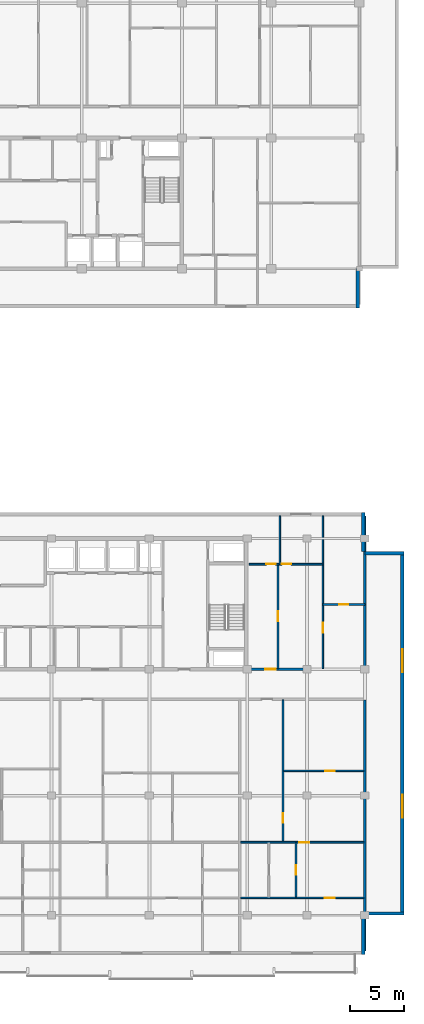
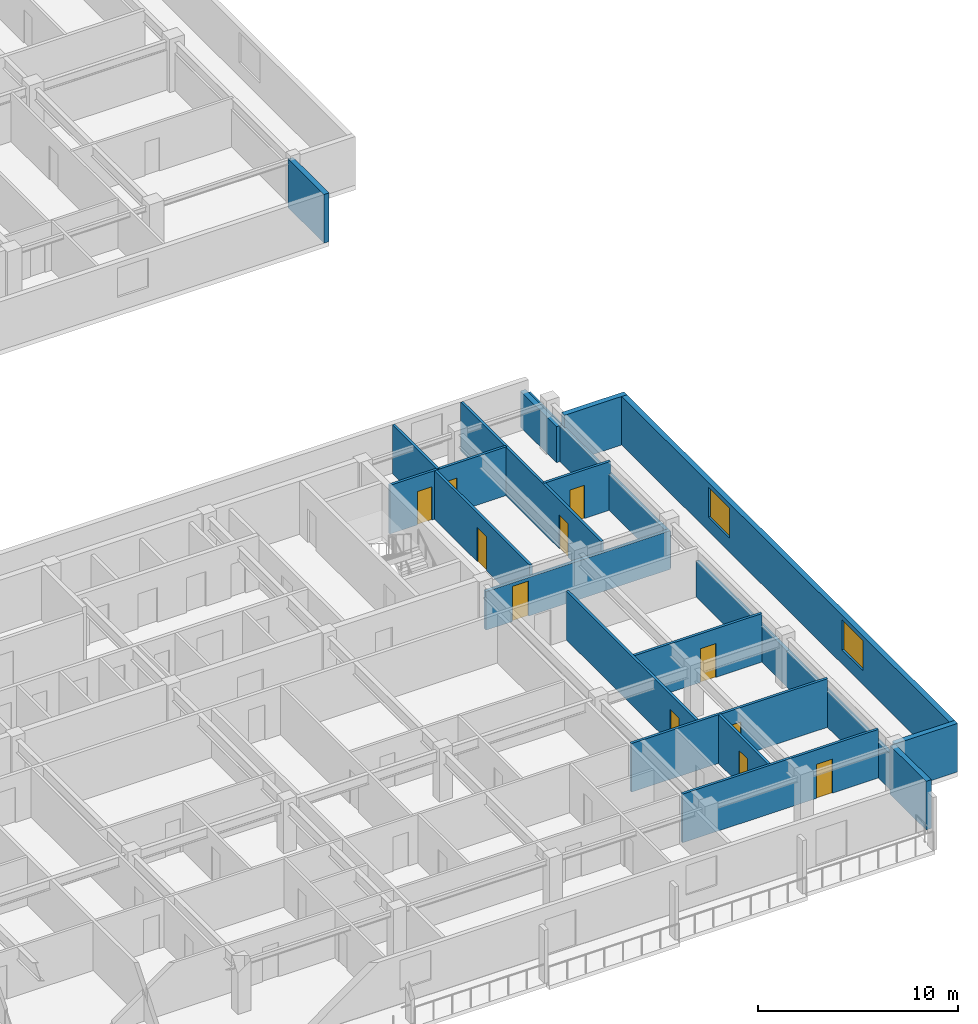
# One storey, part 9 of 21: 19 walls, 11 doors, 2 windows, 13 openings.
"""IFC4 building model written with IfcOpenShell, lengths in metres."""

import ifcopenshell
import ifcopenshell.guid

model = None  # the IFC model being written
_history = None  # IfcOwnerHistory: only IFC2X3 demands one
_inside = {}  # id of a spatial element -> (the spatial element, [elements in it])
_under = {}  # id of a project, library or spatial element -> (it, [spatial elements below it])
_declared = {}  # id of a project -> (the project, [libraries it declares])
_typed = {}  # id of a type object -> (the type object, [elements of that type])
_made_of = {}  # id of a material, layer set ... -> (it, [elements and type objects made of it])


def new_model(schema):
    """Start an empty IFC model of exactly this schema.

    Asked for "IFC4X3", IfcOpenShell would pick the latest addendum, in which some entities
    have other attributes; the version numbers below select the first issue.
    IFC2X3 requires an IfcOwnerHistory on every rooted entity: one is made here for all.
    """
    global model, _history
    if schema == "IFC4X3":
        model = ifcopenshell.file(schema_version=(4, 3, 0, 0))
    else:
        model = ifcopenshell.file(schema=schema)
    _inside.clear()
    _under.clear()
    _declared.clear()
    _typed.clear()
    _made_of.clear()
    _history = None
    if model.schema == "IFC2X3":
        org = make("IfcOrganization", Name="unknown")
        user = make(
            "IfcPersonAndOrganization",
            ThePerson=make("IfcPerson", FamilyName="unknown"),
            TheOrganization=org,
        )
        app = make(
            "IfcApplication",
            ApplicationDeveloper=org,
            Version="unknown",
            ApplicationFullName="unknown",
            ApplicationIdentifier="unknown",
        )
        _history = make(
            "IfcOwnerHistory",
            OwningUser=user,
            OwningApplication=app,
            ChangeAction="ADDED",
            CreationDate=0,
        )
    return model


def make(cls, **values):
    """One entity of the class cls with the attributes given. An attribute that is None is left unset."""
    return model.create_entity(
        cls, **{name: value for name, value in values.items() if value is not None}
    )


def rooted(cls, **values):
    """An entity with a GlobalId (a new one), such as an element, a storey or a relation."""
    return make(cls, GlobalId=ifcopenshell.guid.new(), OwnerHistory=_history, **values)


def si_unit(unit_type, name, prefix=None):
    """IfcSIUnit, for example si_unit("LENGTHUNIT", "METRE", prefix="MILLI")."""
    return make("IfcSIUnit", UnitType=unit_type, Prefix=prefix, Name=name)


def assignment(units):
    """IfcUnitAssignment: the units of a project."""
    return None if units is None else make("IfcUnitAssignment", Units=units)


def point(xyz):
    """IfcCartesianPoint."""
    return None if xyz is None else make("IfcCartesianPoint", Coordinates=xyz)


def direction(xyz):
    """IfcDirection."""
    return None if xyz is None else make("IfcDirection", DirectionRatios=xyz)


def frame(location, z_axis=None, x_axis=None):
    """IfcAxis2Placement3D, a coordinate frame: its origin and axes. An axis left out is left unset."""
    return make(
        "IfcAxis2Placement3D",
        Location=point(location),
        Axis=direction(z_axis),
        RefDirection=direction(x_axis),
    )


def frame_2d(location, x_axis=None):
    """IfcAxis2Placement2D, a coordinate frame in the plane: its origin and x axis."""
    return make(
        "IfcAxis2Placement2D", Location=point(location), RefDirection=direction(x_axis)
    )


def origin():
    """The frame at (0, 0, 0) with its axes left unset."""
    return frame((0.0, 0.0, 0.0))


def place(relative_to, where):
    """IfcLocalPlacement: puts the frame where relative to a parent placement (None: the world)."""
    return make(
        "IfcLocalPlacement", PlacementRelTo=relative_to, RelativePlacement=where
    )


def context(
    kind, dimensions, precision=None, world=None, true_north=None, identifier=None
):
    """IfcGeometricRepresentationContext, for example the 3D "Model" context."""
    return make(
        "IfcGeometricRepresentationContext",
        ContextIdentifier=identifier,
        ContextType=kind,
        CoordinateSpaceDimension=dimensions,
        Precision=precision,
        WorldCoordinateSystem=world,
        TrueNorth=true_north,
    )


def subcontext(parent, identifier, kind, view, scale=None):
    """IfcGeometricRepresentationSubContext, for example "Body" below "Model"."""
    return make(
        "IfcGeometricRepresentationSubContext",
        ContextIdentifier=identifier,
        ContextType=kind,
        ParentContext=parent,
        TargetScale=scale,
        TargetView=view,
    )


def project(units=None, contexts=None):
    """IfcProject with its units and contexts."""
    return rooted(
        "IfcProject",
        Name="project",
        RepresentationContexts=contexts,
        UnitsInContext=assignment(units),
    )


def spatial(cls, under=None, at=None, **own):
    """A site, building, storey or space (cls), placed at a placement, below another one or the project."""
    s = rooted(cls, ObjectPlacement=at, **own)
    if under is not None:
        _under.setdefault(under.id(), (under, []))[1].append(s)
    return s


def profile(cls, at=None, kind="AREA", **sizes):
    """A parametric profile (cls). Its sizes go by their IFC names, for example OverallWidth=200.0."""
    return make(cls, ProfileType=kind, Position=at, **sizes)


def rectangle(**sizes):
    """IfcRectangleProfileDef."""
    return profile("IfcRectangleProfileDef", **sizes)


def extrude(swept, where, along, depth):
    """IfcExtrudedAreaSolid: the profile swept, set in the frame where, extruded along a direction by depth."""
    return make(
        "IfcExtrudedAreaSolid",
        SweptArea=swept,
        Position=where,
        ExtrudedDirection=direction(along),
        Depth=depth,
    )


def shape(context_of_items, identifier, shape_type, items):
    """IfcShapeRepresentation: the items that make up one representation, for example the "Body"."""
    return make(
        "IfcShapeRepresentation",
        ContextOfItems=context_of_items,
        RepresentationIdentifier=identifier,
        RepresentationType=shape_type,
        Items=items,
    )


def material(Name=None, Category=None):
    """IfcMaterial."""
    return make("IfcMaterial", Name=Name, Category=Category)


def layer(
    of_material, thickness, ventilated=None, Name=None, Category=None, Priority=None
):
    """IfcMaterialLayer: one layer of a wall or slab, of a material (None: an air gap)."""
    return make(
        "IfcMaterialLayer",
        Material=of_material,
        LayerThickness=thickness,
        IsVentilated=ventilated,
        Name=Name,
        Category=Category,
        Priority=Priority,
    )


def layer_set(layers, Name=None):
    """IfcMaterialLayerSet."""
    return make("IfcMaterialLayerSet", MaterialLayers=layers, LayerSetName=Name)


def made_of(thing, what):
    """Note that an element or type object is made of a material, layer set ...; save() writes the relation."""
    if what is not None:
        _made_of.setdefault(what.id(), (what, []))[1].append(thing)
    return thing


def type_object(cls, material=None, **own):
    """A type object (cls), such as IfcWallType, which elements share."""
    return made_of(rooted(cls, **own), material)


def element(
    cls,
    number,
    at=None,
    inside=None,
    cuts=None,
    type_object=None,
    material=None,
    context=None,
    identifier="Body",
    shape_type=None,
    held_by="IfcProductDefinitionShape",
    body=None,
    shapes=None,
    **own,
):
    """One element of the class cls, such as IfcWall. Its Tag is "e" and its number.

    at: its placement. inside: the storey or other place that contains it. cuts: it is an
    opening in that element (IfcRelVoidsElement). A single representation is given by context,
    identifier, shape_type and body (its items); several are given by shapes. held_by: the class
    of the entity that holds the representations. save() writes the other relations.
    """
    e = rooted(cls, Tag="e%d" % number, ObjectPlacement=at, **own)
    if body is not None:
        shapes = [shape(context, identifier, shape_type, body)]
    if shapes is not None:
        e.Representation = make(held_by, Representations=shapes)
    if inside is not None:
        _inside.setdefault(inside.id(), (inside, []))[1].append(e)
    if cuts is not None:
        rooted(
            "IfcRelVoidsElement", RelatingBuildingElement=cuts, RelatedOpeningElement=e
        )
    if type_object is not None:
        _typed.setdefault(type_object.id(), (type_object, []))[1].append(e)
    return made_of(e, material)


def fill(opening, filler):
    """IfcRelFillsElement: the door or window that sits in an opening."""
    return rooted(
        "IfcRelFillsElement",
        RelatingOpeningElement=opening,
        RelatedBuildingElement=filler,
    )


def aggregate(whole, parts):
    """IfcRelAggregates: a whole, such as a stair, and the parts it consists of."""
    return rooted("IfcRelAggregates", RelatingObject=whole, RelatedObjects=parts)


def save(model, path):
    """Write the relations noted so far, then the file.

    IfcRelAggregates (storeys below a building ...), IfcRelContainedInSpatialStructure (elements
    in a storey), IfcRelDefinesByType, IfcRelAssociatesMaterial and IfcRelDeclares: one each for
    every whole, place, type object, material and project.
    """
    for whole, parts in _under.values():
        aggregate(whole, parts)
    for where, things in _inside.values():
        rooted(
            "IfcRelContainedInSpatialStructure",
            RelatedElements=things,
            RelatingStructure=where,
        )
    for kind, things in _typed.values():
        rooted("IfcRelDefinesByType", RelatedObjects=things, RelatingType=kind)
    for what, things in _made_of.values():
        rooted("IfcRelAssociatesMaterial", RelatedObjects=things, RelatingMaterial=what)
    for by, libraries in _declared.values():
        rooted("IfcRelDeclares", RelatingContext=by, RelatedDefinitions=libraries)
    model.write(path)


model = new_model("IFC4")

# Units and contexts
model_context = context("Model", 3, precision=1e-05, world=origin(), true_north=direction((0.0, 1.0)))
body_context = subcontext(model_context, "Body", "Model", "MODEL_VIEW")
ifc_project = project(units=[si_unit("LENGTHUNIT", "METRE"), si_unit("AREAUNIT", "SQUARE_METRE"), si_unit("VOLUMEUNIT", "CUBIC_METRE"), si_unit("PLANEANGLEUNIT", "RADIAN"), si_unit("MASSUNIT", "GRAM", prefix="KILO")], contexts=[model_context])

# Site, building, storey
site_placement = place(None, origin())
site = spatial("IfcSite", under=ifc_project, at=site_placement, CompositionType="ELEMENT")
building_placement = place(site_placement, origin())
building = spatial("IfcBuilding", under=site, at=building_placement, Name="Korimba Cascade Residences", CompositionType="ELEMENT")
storey_placement = place(building_placement, frame((0.0, 0.0, 188.10009765625)))
storey = spatial("IfcBuildingStorey", under=building, at=storey_placement, Name="L54", CompositionType="ELEMENT", Elevation=188.10009765625)

# Walls
ifc_material_1 = material(Name="Precast concrete C40/50", Category="concrete")
ifc_layer_1 = layer(ifc_material_1, 0.300048828125)
ifc_layer_set_1 = layer_set([ifc_layer_1], Name="Precast concrete C40/50")
wall_type_1 = type_object("IfcWallType", Name="EW-STONE-300", PredefinedType="STANDARD", material=ifc_layer_set_1)
wall_1_placement = place(storey_placement, frame((128.25, 51.60009765625, 0.0), z_axis=(0.0, 0.0, 1.0), x_axis=(0.0, 1.0, 0.0)))
element("IfcWall", 1, at=wall_1_placement, inside=storey, type_object=wall_type_1, Name="L54 T1 Perimeter Stone Wall E01", PredefinedType="STANDARD", context=body_context, shape_type="SweptSolid", body=[
    extrude(rectangle(XDim=3.599853515625, YDim=0.300048828125, at=frame_2d((1.7998046875, 0.0))), origin(), (0.0, 0.0, 1.0), 2.969970703125),
])
for number, where, z_axis, x_axis, name in (
    (2, (128.75, -7.800048828125, 0.0), (0.0, 0.0, 1.0), (0.0, 1.0, 0.0), "L54 T2 Perimeter Stone Wall E01"),
    (3, (128.89990234375, -4.050048828125, 0.0), (0.0, 0.0, 1.0), (1.0, 0.0, 0.0), "L54 T2 Perimeter Stone Wall E02"),
):
    element("IfcWall", number, at=place(storey_placement, frame(where, z_axis=z_axis, x_axis=x_axis)), inside=storey, type_object=wall_type_1, Name=name, PredefinedType="STANDARD", context=body_context, shape_type="SweptSolid", body=[
        extrude(rectangle(XDim=3.60009765625, YDim=0.300048828125, at=frame_2d((1.800048828125, 0.0))), origin(), (0.0, 0.0, 1.0), 2.969970703125),
    ])

# Wall, openings, windows
wall_2_placement = place(storey_placement, frame((132.35009765625, -4.199951171875, 0.0), z_axis=(0.0, 0.0, 1.0), x_axis=(0.0, 1.0, 0.0)))
wall_2 = element("IfcWall", 4, at=wall_2_placement, inside=storey, type_object=wall_type_1, Name="L54 T2 Perimeter Stone Wall E03", PredefinedType="STANDARD", context=body_context, shape_type="SweptSolid", body=[
    extrude(rectangle(XDim=33.39990234375, YDim=0.300048828125, at=frame_2d((16.699951171875, 0.0))), origin(), (0.0, 0.0, 1.0), 2.969970703125),
])
opening_1_placement = place(wall_2_placement, frame((8.969970703125, 0.0, 0.85009765625)))
opening_1 = element("IfcOpeningElement", 5, at=opening_1_placement, cuts=wall_2, Name="Opening W-03", PredefinedType="OPENING", context=body_context, shape_type="SweptSolid", body=[
    extrude(rectangle(XDim=2.10009765625, YDim=1.85009765625, at=frame_2d((1.050048828125, 0.925048828125))), frame((0.0, 0.16015625, 0.0), z_axis=(0.0, -1.0, 0.0), x_axis=(1.0, 0.0, 0.0)), (0.0, 0.0, 1.0), 0.320068359375),
])
opening_2_placement = place(wall_2_placement, frame((22.330078125, 0.0, 0.85009765625)))
opening_2 = element("IfcOpeningElement", 6, at=opening_2_placement, cuts=wall_2, Name="Opening W-03", PredefinedType="OPENING", context=body_context, shape_type="SweptSolid", body=[
    extrude(rectangle(XDim=2.10009765625, YDim=1.85009765625, at=frame_2d((1.050048828125, 0.925048828125))), frame((0.0, 0.16015625, 0.0), z_axis=(0.0, -1.0, 0.0), x_axis=(1.0, 0.0, 0.0)), (0.0, 0.0, 1.0), 0.320068359375),
])
ifc_material_2 = material(Name="Double-Glazed Aluminium Window", Category="aluminium")
window_type = type_object("IfcWindowType", Name="WIN-CRN-2100", PartitioningType="DOUBLE_PANEL_HORIZONTAL", PredefinedType="WINDOW", material=ifc_material_2)
window_1_placement = place(opening_1_placement, origin())
window_1 = element("IfcWindow", 7, at=window_1_placement, inside=storey, type_object=window_type, Name="L54 T2 End View Window 3.1", OverallHeight=1.85009765625, OverallWidth=2.10009765625, PartitioningType="DOUBLE_PANEL_HORIZONTAL", PredefinedType="WINDOW", context=body_context, shape_type="SweptSolid", body=[
    extrude(rectangle(XDim=2.10009765625, YDim=1.85009765625, at=frame_2d((1.050048828125, 0.925048828125))), frame((0.0, 0.030029296875, 0.0), z_axis=(0.0, -1.0, 0.0), x_axis=(1.0, 0.0, 0.0)), (0.0, 0.0, 1.0), 0.06005859375),
])
fill(opening_1, window_1)
window_2_placement = place(opening_2_placement, origin())
window_2 = element("IfcWindow", 8, at=window_2_placement, inside=storey, type_object=window_type, Name="L54 T2 End View Window 3.2", OverallHeight=1.85009765625, OverallWidth=2.10009765625, PartitioningType="DOUBLE_PANEL_HORIZONTAL", PredefinedType="WINDOW", context=body_context, shape_type="SweptSolid", body=[
    extrude(rectangle(XDim=2.10009765625, YDim=1.85009765625, at=frame_2d((1.050048828125, 0.925048828125))), frame((0.0, 0.030029296875, 0.0), z_axis=(0.0, -1.0, 0.0), x_axis=(1.0, 0.0, 0.0)), (0.0, 0.0, 1.0), 0.06005859375),
])
fill(opening_2, window_2)

# Walls
wall_3_placement = place(storey_placement, frame((132.5, 29.050048828125, 0.0), z_axis=(0.0, 0.0, 1.0), x_axis=(-1.0, 0.0, 0.0)))
element("IfcWall", 9, at=wall_3_placement, inside=storey, type_object=wall_type_1, Name="L54 T2 Perimeter Stone Wall E04", PredefinedType="STANDARD", context=body_context, shape_type="SweptSolid", body=[
    extrude(rectangle(XDim=3.60009765625, YDim=0.300048828125, at=frame_2d((1.800048828125, 0.0))), origin(), (0.0, 0.0, 1.0), 2.969970703125),
])
wall_4_placement = place(storey_placement, frame((128.75, 29.199951171875, 0.0), z_axis=(0.0, 0.0, 1.0), x_axis=(0.0, 1.0, 0.0)))
element("IfcWall", 10, at=wall_4_placement, inside=storey, type_object=wall_type_1, Name="L54 T2 Perimeter Stone Wall E05", PredefinedType="STANDARD", context=body_context, shape_type="SweptSolid", body=[
    extrude(rectangle(XDim=3.60009765625, YDim=0.300048828125, at=frame_2d((1.800048828125, 0.0))), origin(), (0.0, 0.0, 1.0), 2.2001953125),
])
ifc_layer_2 = layer(ifc_material_1, 0.199951171875)
ifc_layer_set_2 = layer_set([ifc_layer_2], Name="Precast concrete C40/50")
wall_type_2 = type_object("IfcWallType", Name="WAL-IT-200", PredefinedType="PARTITIONING", material=ifc_layer_set_2)
wall_5_placement = place(storey_placement, frame((128.89990234375, 18.39990234375, 0.0), z_axis=(0.0, 0.0, 1.0), x_axis=(0.0, 1.0, 0.0)))
element("IfcWall", 11, at=wall_5_placement, inside=storey, type_object=wall_type_2, Name="L54 Partition Wall WAL-L54-T2-FE-WR", PredefinedType="PARTITIONING", context=body_context, shape_type="SweptSolid", body=[
    extrude(rectangle(XDim=14.10009765625, YDim=0.199951171875, at=frame_2d((7.050048828125, 0.0))), origin(), (0.0, 0.0, 1.0), 2.2001953125),
])

# Wall, opening, door
wall_6_placement = place(storey_placement, frame((118.25, 18.39990234375, 0.0), z_axis=(0.0, 0.0, 1.0), x_axis=(1.0, 0.0, 0.0)))
wall_6 = element("IfcWall", 12, at=wall_6_placement, inside=storey, type_object=wall_type_2, Name="L54 Partition Wall WAL-L54-T2-FE-S", PredefinedType="PARTITIONING", context=body_context, shape_type="SweptSolid", body=[
    extrude(rectangle(XDim=10.64990234375, YDim=0.199951171875, at=frame_2d((5.324951171875, 0.0))), origin(), (0.0, 0.0, 1.0), 2.357666015625),
])
opening_3_placement = place(wall_6_placement, frame((1.510009765625, 0.0, 0.0)))
opening_3 = element("IfcOpeningElement", 13, at=opening_3_placement, cuts=wall_6, Name="Opening D-UN1", PredefinedType="OPENING", context=body_context, shape_type="SweptSolid", body=[
    extrude(rectangle(XDim=0.949951171875, YDim=2.14990234375, at=frame_2d((0.47509765625, 1.074951171875))), frame((0.0, 0.10986328125, 0.0), z_axis=(0.0, -1.0, 0.0), x_axis=(1.0, 0.0, 0.0)), (0.0, 0.0, 1.0), 0.219970703125),
])
ifc_material_3 = material(Name="Fire-Rated Hardwood Apartment Entrance Door", Category="wood")
door_type_1 = type_object("IfcDoorType", Name="DR-FD60-950", OperationType="NOTDEFINED", PredefinedType="DOOR", material=ifc_material_3)
door_1_placement = place(opening_3_placement, origin())
door_1 = element("IfcDoor", 14, at=door_1_placement, inside=storey, type_object=door_type_1, Name="L54-T2-FE Entrance Door", OperationType="SINGLE_SWING_LEFT", OverallHeight=2.14990234375, OverallWidth=0.949951171875, PredefinedType="DOOR", context=body_context, shape_type="SweptSolid", body=[
    extrude(rectangle(XDim=0.949951171875, YDim=2.14990234375, at=frame_2d((0.47509765625, 1.074951171875))), frame((0.0, 0.02490234375, 0.0), z_axis=(0.0, -1.0, 0.0), x_axis=(1.0, 0.0, 0.0)), (0.0, 0.0, 1.0), 0.050048828125),
])
fill(opening_3, door_1)

# Wall
wall_7_placement = place(storey_placement, frame((128.89990234375, -7.5, 0.0), z_axis=(0.0, 0.0, 1.0), x_axis=(0.0, 1.0, 0.0)))
element("IfcWall", 15, at=wall_7_placement, inside=storey, type_object=wall_type_2, Name="L54 Partition Wall WAL-L54-T2-BNDWR", PredefinedType="PARTITIONING", context=body_context, shape_type="SweptSolid", body=[
    extrude(rectangle(XDim=23.070068359375, YDim=0.199951171875, at=frame_2d((11.53515625, 0.0))), origin(), (0.0, 0.0, 1.0), 2.2001953125),
])

# Wall, opening, door
ifc_material_4 = material(Name="Insulated Acoustic Stud Partition", Category="gypsum")
ifc_layer_3 = layer(ifc_material_4, 0.14990234375)
ifc_layer_set_3 = layer_set([ifc_layer_3], Name="Insulated Acoustic Stud Partition")
wall_type_3 = type_object("IfcWallType", Name="WAL-PART-150", PredefinedType="PARTITIONING", material=ifc_layer_set_3)
wall_8_placement = place(storey_placement, frame((125.050048828125, 24.35009765625, 0.0), z_axis=(0.0, 0.0, 1.0), x_axis=(1.0, 0.0, 0.0)))
wall_8 = element("IfcWall", 16, at=wall_8_placement, inside=storey, type_object=wall_type_3, Name="L54 Partition Wall WAL-L54-T2-FE-STH", PredefinedType="PARTITIONING", context=body_context, shape_type="SweptSolid", body=[
    extrude(rectangle(XDim=3.849853515625, YDim=0.14990234375, at=frame_2d((1.9248046875, 0.0))), origin(), (0.0, 0.0, 1.0), 2.969970703125),
])
opening_4_placement = place(wall_8_placement, frame((1.5048828125, 0.0, 0.0)))
opening_4 = element("IfcOpeningElement", 17, at=opening_4_placement, cuts=wall_8, Name="Opening D-BT1", PredefinedType="OPENING", context=body_context, shape_type="SweptSolid", body=[
    extrude(rectangle(XDim=0.840087890625, YDim=2.0400390625, at=frame_2d((0.419921875, 1.02001953125))), frame((0.0, 0.0849609375, 0.0), z_axis=(0.0, -1.0, 0.0), x_axis=(1.0, 0.0, 0.0)), (0.0, 0.0, 1.0), 0.169921875),
])
ifc_material_5 = material(Name="Moisture-Resistant Bathroom Timber Door", Category="wood")
door_type_2 = type_object("IfcDoorType", Name="DR-INT-850", OperationType="NOTDEFINED", PredefinedType="DOOR", material=ifc_material_5)
door_2_placement = place(opening_4_placement, origin())
door_2 = element("IfcDoor", 18, at=door_2_placement, inside=storey, type_object=door_type_2, Name="L54-T2-FE Dressing Store Door", OperationType="SINGLE_SWING_RIGHT", OverallHeight=2.0400390625, OverallWidth=0.840087890625, PredefinedType="DOOR", context=body_context, shape_type="SweptSolid", body=[
    extrude(rectangle(XDim=0.840087890625, YDim=2.0400390625, at=frame_2d((0.419921875, 1.02001953125))), frame((0.0, 0.02490234375, 0.0), z_axis=(0.0, -1.0, 0.0), x_axis=(1.0, 0.0, 0.0)), (0.0, 0.0, 1.0), 0.050048828125),
])
fill(opening_4, door_2)

wall_9_placement = place(storey_placement, frame((125.050048828125, 18.449951171875, 0.0), z_axis=(0.0, 0.0, 1.0), x_axis=(0.0, 1.0, 0.0)))
wall_9 = element("IfcWall", 19, at=wall_9_placement, inside=storey, type_object=wall_type_3, Name="L54 Partition Wall WAL-L54-T2-FE-STV", PredefinedType="PARTITIONING", context=body_context, shape_type="SweptSolid", body=[
    extrude(rectangle(XDim=14.050048828125, YDim=0.14990234375, at=frame_2d((7.02490234375, 0.0))), origin(), (0.0, 0.0, 1.0), 2.969970703125),
])
opening_5_placement = place(wall_9_placement, frame((3.320068359375, 0.0, 0.0)))
opening_5 = element("IfcOpeningElement", 20, at=opening_5_placement, cuts=wall_9, Name="Opening D-IN2", PredefinedType="OPENING", context=body_context, shape_type="SweptSolid", body=[
    extrude(rectangle(XDim=0.8798828125, YDim=2.06005859375, at=frame_2d((0.43994140625, 1.030029296875))), frame((0.0, 0.0849609375, 0.0), z_axis=(0.0, -1.0, 0.0), x_axis=(1.0, 0.0, 0.0)), (0.0, 0.0, 1.0), 0.169921875),
])
ifc_material_6 = material(Name="Acoustic Timber Bedroom Door", Category="wood")
door_type_3 = type_object("IfcDoorType", Name="DR-INT-880", OperationType="NOTDEFINED", PredefinedType="DOOR", material=ifc_material_6)
door_3_placement = place(opening_5_placement, origin())
door_3 = element("IfcDoor", 21, at=door_3_placement, inside=storey, type_object=door_type_3, Name="L54-T2-FE Study Door", OperationType="SINGLE_SWING_LEFT", OverallHeight=2.06005859375, OverallWidth=0.8798828125, PredefinedType="DOOR", context=body_context, shape_type="SweptSolid", body=[
    extrude(rectangle(XDim=0.8798828125, YDim=2.06005859375, at=frame_2d((0.43994140625, 1.030029296875))), frame((0.0, 0.02490234375, 0.0), z_axis=(0.0, -1.0, 0.0), x_axis=(1.0, 0.0, 0.0)), (0.0, 0.0, 1.0), 0.050048828125),
])
fill(opening_5, door_3)

wall_10_placement = place(storey_placement, frame((120.929931640625, 18.449951171875, 0.0), z_axis=(0.0, 0.0, 1.0), x_axis=(0.0, 1.0, 0.0)))
wall_10 = element("IfcWall", 22, at=wall_10_placement, inside=storey, type_object=wall_type_3, Name="L54 Partition Wall WAL-L54-T2-FE-VS", PredefinedType="PARTITIONING", context=body_context, shape_type="SweptSolid", body=[
    extrude(rectangle(XDim=9.60009765625, YDim=0.14990234375, at=frame_2d((4.800048828125, 0.0))), origin(), (0.0, 0.0, 1.0), 2.969970703125),
])
opening_6_placement = place(wall_10_placement, frame((4.340087890625, 0.0, 0.0)))
opening_6 = element("IfcOpeningElement", 23, at=opening_6_placement, cuts=wall_10, Name="Opening D-IN1", PredefinedType="OPENING", context=body_context, shape_type="SweptSolid", body=[
    extrude(rectangle(XDim=0.919921875, YDim=2.080078125, at=frame_2d((0.4599609375, 1.0400390625))), frame((0.0, 0.0849609375, 0.0), z_axis=(0.0, -1.0, 0.0), x_axis=(1.0, 0.0, 0.0)), (0.0, 0.0, 1.0), 0.169921875),
])
ifc_material_7 = material(Name="Acoustic Timber Living Door", Category="wood")
door_type_4 = type_object("IfcDoorType", Name="DR-INT-920", OperationType="NOTDEFINED", PredefinedType="DOOR", material=ifc_material_7)
door_4_placement = place(opening_6_placement, origin())
door_4 = element("IfcDoor", 24, at=door_4_placement, inside=storey, type_object=door_type_4, Name="L54-T2-FE Living Door", OperationType="SINGLE_SWING_RIGHT", OverallHeight=2.080078125, OverallWidth=0.919921875, PredefinedType="DOOR", context=body_context, shape_type="SweptSolid", body=[
    extrude(rectangle(XDim=0.919921875, YDim=2.080078125, at=frame_2d((0.4599609375, 1.0400390625))), frame((0.0, 0.02490234375, 0.0), z_axis=(0.0, -1.0, 0.0), x_axis=(1.0, 0.0, 0.0)), (0.0, 0.0, 1.0), 0.050048828125),
])
fill(opening_6, door_4)

# Wall
wall_11_placement = place(storey_placement, frame((121.10009765625, 28.050048828125, 0.0), z_axis=(0.0, 0.0, 1.0), x_axis=(0.0, 1.0, 0.0)))
element("IfcWall", 25, at=wall_11_placement, inside=storey, type_object=wall_type_3, Name="L54 Partition Wall WAL-L54-T2-FE-VN", PredefinedType="PARTITIONING", context=body_context, shape_type="SweptSolid", body=[
    extrude(rectangle(XDim=4.449951171875, YDim=0.14990234375, at=frame_2d((2.22509765625, 0.0))), origin(), (0.0, 0.0, 1.0), 2.969970703125),
])

# Wall, openings, doors
wall_12_placement = place(storey_placement, frame((118.27001953125, 28.050048828125, 0.0), z_axis=(0.0, 0.0, 1.0), x_axis=(1.0, 0.0, 0.0)))
wall_12 = element("IfcWall", 26, at=wall_12_placement, inside=storey, type_object=wall_type_3, Name="L54 Partition Wall WAL-L54-T2-FE-H", PredefinedType="PARTITIONING", context=body_context, shape_type="SweptSolid", body=[
    extrude(rectangle(XDim=6.760009765625, YDim=0.14990234375, at=frame_2d((3.3798828125, 0.0))), origin(), (0.0, 0.0, 1.0), 2.969970703125),
])
opening_7_placement = place(wall_12_placement, frame((1.58740234375, 0.0, 0.0)))
opening_7 = element("IfcOpeningElement", 27, at=opening_7_placement, cuts=wall_12, Name="Opening D-BT1", PredefinedType="OPENING", context=body_context, shape_type="SweptSolid", body=[
    extrude(rectangle(XDim=0.840087890625, YDim=2.0400390625, at=frame_2d((0.419921875, 1.02001953125))), frame((0.0, 0.0849609375, 0.0), z_axis=(0.0, -1.0, 0.0), x_axis=(1.0, 0.0, 0.0)), (0.0, 0.0, 1.0), 0.169921875),
])
opening_8_placement = place(wall_12_placement, frame((2.988037109375, 0.0, 0.0)))
opening_8 = element("IfcOpeningElement", 28, at=opening_8_placement, cuts=wall_12, Name="Opening D-IN2", PredefinedType="OPENING", context=body_context, shape_type="SweptSolid", body=[
    extrude(rectangle(XDim=0.8798828125, YDim=2.06005859375, at=frame_2d((0.43994140625, 1.030029296875))), frame((0.0, 0.0849609375, 0.0), z_axis=(0.0, -1.0, 0.0), x_axis=(1.0, 0.0, 0.0)), (0.0, 0.0, 1.0), 0.169921875),
])
door_5_placement = place(opening_7_placement, origin())
door_5 = element("IfcDoor", 29, at=door_5_placement, inside=storey, type_object=door_type_2, Name="L54-T2-FE Bathroom Door", OperationType="SINGLE_SWING_LEFT", OverallHeight=2.0400390625, OverallWidth=0.840087890625, PredefinedType="DOOR", context=body_context, shape_type="SweptSolid", body=[
    extrude(rectangle(XDim=0.840087890625, YDim=2.0400390625, at=frame_2d((0.419921875, 1.02001953125))), frame((0.0, 0.02490234375, 0.0), z_axis=(0.0, -1.0, 0.0), x_axis=(1.0, 0.0, 0.0)), (0.0, 0.0, 1.0), 0.050048828125),
])
fill(opening_7, door_5)
door_6_placement = place(opening_8_placement, origin())
door_6 = element("IfcDoor", 30, at=door_6_placement, inside=storey, type_object=door_type_3, Name="L54-T2-FE Bedroom Door", OperationType="SINGLE_SWING_RIGHT", OverallHeight=2.06005859375, OverallWidth=0.8798828125, PredefinedType="DOOR", context=body_context, shape_type="SweptSolid", body=[
    extrude(rectangle(XDim=0.8798828125, YDim=2.06005859375, at=frame_2d((0.43994140625, 1.030029296875))), frame((0.0, 0.02490234375, 0.0), z_axis=(0.0, -1.0, 0.0), x_axis=(1.0, 0.0, 0.0)), (0.0, 0.0, 1.0), 0.050048828125),
])
fill(opening_8, door_6)

# Wall, opening, door
wall_13_placement = place(storey_placement, frame((121.438232421875, 9.06494140625, 0.0), z_axis=(0.0, 0.0, 1.0), x_axis=(1.0, 0.0, 0.0)))
wall_13 = element("IfcWall", 31, at=wall_13_placement, inside=storey, type_object=wall_type_3, Name="L54 Partition Wall WAL-L54-T2-U04-FMH", PredefinedType="PARTITIONING", context=body_context, shape_type="SweptSolid", body=[
    extrude(rectangle(XDim=7.3818359375, YDim=0.14990234375, at=frame_2d((3.69091796875, 0.0))), origin(), (0.0, 0.0, 1.0), 2.969970703125),
])
opening_9_placement = place(wall_13_placement, frame((3.8310546875, 0.0, 0.0)))
opening_9 = element("IfcOpeningElement", 32, at=opening_9_placement, cuts=wall_13, Name="Opening D-IN2", PredefinedType="OPENING", context=body_context, shape_type="SweptSolid", body=[
    extrude(rectangle(XDim=0.8798828125, YDim=2.06005859375, at=frame_2d((0.43994140625, 1.030029296875))), frame((0.0, 0.0849609375, 0.0), z_axis=(0.0, -1.0, 0.0), x_axis=(1.0, 0.0, 0.0)), (0.0, 0.0, 1.0), 0.169921875),
])
door_7_placement = place(opening_9_placement, origin())
door_7 = element("IfcDoor", 33, at=door_7_placement, inside=storey, type_object=door_type_3, Name="L54-T2-U04 Library Salon Door", OperationType="SINGLE_SWING_RIGHT", OverallHeight=2.06005859375, OverallWidth=0.8798828125, PredefinedType="DOOR", context=body_context, shape_type="SweptSolid", body=[
    extrude(rectangle(XDim=0.8798828125, YDim=2.06005859375, at=frame_2d((0.43994140625, 1.030029296875))), frame((0.0, 0.02490234375, 0.0), z_axis=(0.0, -1.0, 0.0), x_axis=(1.0, 0.0, 0.0)), (0.0, 0.0, 1.0), 0.050048828125),
])
fill(opening_9, door_7)

wall_14_placement = place(storey_placement, frame((121.37841796875, 2.5400390625, 0.0), z_axis=(0.0, 0.0, 1.0), x_axis=(0.0, 1.0, 0.0)))
wall_14 = element("IfcWall", 34, at=wall_14_placement, inside=storey, type_object=wall_type_3, Name="L54 Partition Wall WAL-L54-T2-U04-FV", PredefinedType="PARTITIONING", context=body_context, shape_type="SweptSolid", body=[
    extrude(rectangle(XDim=13.050048828125, YDim=0.14990234375, at=frame_2d((6.52490234375, 0.0))), origin(), (0.0, 0.0, 1.0), 2.969970703125),
])
opening_10_placement = place(wall_14_placement, frame((1.7626953125, 0.0, 0.0)))
opening_10 = element("IfcOpeningElement", 35, at=opening_10_placement, cuts=wall_14, Name="Opening D-IN2", PredefinedType="OPENING", context=body_context, shape_type="SweptSolid", body=[
    extrude(rectangle(XDim=0.8798828125, YDim=2.06005859375, at=frame_2d((0.43994140625, 1.030029296875))), frame((0.0, 0.0849609375, 0.0), z_axis=(0.0, -1.0, 0.0), x_axis=(1.0, 0.0, 0.0)), (0.0, 0.0, 1.0), 0.169921875),
])
door_8_placement = place(opening_10_placement, origin())
door_8 = element("IfcDoor", 36, at=door_8_placement, inside=storey, type_object=door_type_3, Name="L54-T2-U04 Media Lounge Door", OperationType="SINGLE_SWING_LEFT", OverallHeight=2.06005859375, OverallWidth=0.8798828125, PredefinedType="DOOR", context=body_context, shape_type="SweptSolid", body=[
    extrude(rectangle(XDim=0.8798828125, YDim=2.06005859375, at=frame_2d((0.43994140625, 1.030029296875))), frame((0.0, 0.02490234375, 0.0), z_axis=(0.0, -1.0, 0.0), x_axis=(1.0, 0.0, 0.0)), (0.0, 0.0, 1.0), 0.050048828125),
])
fill(opening_10, door_8)

wall_15_placement = place(storey_placement, frame((122.580078125, -2.5400390625, 0.0), z_axis=(0.0, 0.0, 1.0), x_axis=(0.0, 1.0, 0.0)))
wall_15 = element("IfcWall", 37, at=wall_15_placement, inside=storey, type_object=wall_type_3, Name="L54 Partition Wall WAL-L54-T2-U04-BM", PredefinedType="PARTITIONING", context=body_context, shape_type="SweptSolid", body=[
    extrude(rectangle(XDim=5.0, YDim=0.14990234375, at=frame_2d((2.5, 0.0))), origin(), (0.0, 0.0, 1.0), 2.969970703125),
])
opening_11_placement = place(wall_15_placement, frame((2.080078125, 0.0, 0.0)))
opening_11 = element("IfcOpeningElement", 38, at=opening_11_placement, cuts=wall_15, Name="Opening D-BT1", PredefinedType="OPENING", context=body_context, shape_type="SweptSolid", body=[
    extrude(rectangle(XDim=0.840087890625, YDim=2.0400390625, at=frame_2d((0.419921875, 1.02001953125))), frame((0.0, 0.0849609375, 0.0), z_axis=(0.0, -1.0, 0.0), x_axis=(1.0, 0.0, 0.0)), (0.0, 0.0, 1.0), 0.169921875),
])
door_9_placement = place(opening_11_placement, origin())
door_9 = element("IfcDoor", 39, at=door_9_placement, inside=storey, type_object=door_type_2, Name="L54-T2-U04 Bathroom Door", OperationType="SINGLE_SWING_LEFT", OverallHeight=2.0400390625, OverallWidth=0.840087890625, PredefinedType="DOOR", context=body_context, shape_type="SweptSolid", body=[
    extrude(rectangle(XDim=0.840087890625, YDim=2.0400390625, at=frame_2d((0.419921875, 1.02001953125))), frame((0.0, 0.02490234375, 0.0), z_axis=(0.0, -1.0, 0.0), x_axis=(1.0, 0.0, 0.0)), (0.0, 0.0, 1.0), 0.050048828125),
])
fill(opening_11, door_9)

wall_16_placement = place(storey_placement, frame((117.48828125, 2.5, 0.0), z_axis=(0.0, 0.0, 1.0), x_axis=(1.0, 0.0, 0.0)))
wall_16 = element("IfcWall", 40, at=wall_16_placement, inside=storey, type_object=wall_type_3, Name="L54 Partition Wall WAL-L54-T2-U04-MW", PredefinedType="PARTITIONING", context=body_context, shape_type="SweptSolid", body=[
    extrude(rectangle(XDim=11.331787109375, YDim=0.14990234375, at=frame_2d((5.666015625, 0.0))), origin(), (0.0, 0.0, 1.0), 2.969970703125),
])
opening_12_placement = place(wall_16_placement, frame((5.407958984375, 0.0, 0.0)))
opening_12 = element("IfcOpeningElement", 41, at=opening_12_placement, cuts=wall_16, Name="Opening D-IN1", PredefinedType="OPENING", context=body_context, shape_type="SweptSolid", body=[
    extrude(rectangle(XDim=0.919921875, YDim=2.080078125, at=frame_2d((0.4599609375, 1.0400390625))), frame((0.0, 0.0849609375, 0.0), z_axis=(0.0, -1.0, 0.0), x_axis=(1.0, 0.0, 0.0)), (0.0, 0.0, 1.0), 0.169921875),
])
door_10_placement = place(opening_12_placement, origin())
door_10 = element("IfcDoor", 42, at=door_10_placement, inside=storey, type_object=door_type_4, Name="L54-T2-U04 Studio Kitchen Door", OperationType="SINGLE_SWING_RIGHT", OverallHeight=2.080078125, OverallWidth=0.919921875, PredefinedType="DOOR", context=body_context, shape_type="SweptSolid", body=[
    extrude(rectangle(XDim=0.919921875, YDim=2.080078125, at=frame_2d((0.4599609375, 1.0400390625))), frame((0.0, 0.02490234375, 0.0), z_axis=(0.0, -1.0, 0.0), x_axis=(1.0, 0.0, 0.0)), (0.0, 0.0, 1.0), 0.050048828125),
])
fill(opening_12, door_10)

wall_17_placement = place(storey_placement, frame((117.48828125, -2.60009765625, 0.0), z_axis=(0.0, 0.0, 1.0), x_axis=(1.0, 0.0, 0.0)))
wall_17 = element("IfcWall", 43, at=wall_17_placement, inside=storey, type_object=wall_type_3, Name="L54 Partition Wall WAL-L54-T2-U04-HZ", PredefinedType="PARTITIONING", context=body_context, shape_type="SweptSolid", body=[
    extrude(rectangle(XDim=11.331787109375, YDim=0.14990234375, at=frame_2d((5.666015625, 0.0))), origin(), (0.0, 0.0, 1.0), 2.969970703125),
])
opening_13_placement = place(wall_17_placement, frame((7.731689453125, 0.0, 0.0)))
opening_13 = element("IfcOpeningElement", 44, at=opening_13_placement, cuts=wall_17, Name="Opening D-IN1", PredefinedType="OPENING", context=body_context, shape_type="SweptSolid", body=[
    extrude(rectangle(XDim=0.919921875, YDim=2.080078125, at=frame_2d((0.4599609375, 1.0400390625))), frame((0.0, 0.0849609375, 0.0), z_axis=(0.0, -1.0, 0.0), x_axis=(1.0, 0.0, 0.0)), (0.0, 0.0, 1.0), 0.169921875),
])
door_11_placement = place(opening_13_placement, origin())
door_11 = element("IfcDoor", 45, at=door_11_placement, inside=storey, type_object=door_type_4, Name="L54-T2-U04 Studio Door", OperationType="SINGLE_SWING_LEFT", OverallHeight=2.080078125, OverallWidth=0.919921875, PredefinedType="DOOR", context=body_context, shape_type="SweptSolid", body=[
    extrude(rectangle(XDim=0.919921875, YDim=2.080078125, at=frame_2d((0.4599609375, 1.0400390625))), frame((0.0, 0.02490234375, 0.0), z_axis=(0.0, -1.0, 0.0), x_axis=(1.0, 0.0, 0.0)), (0.0, 0.0, 1.0), 0.050048828125),
])
fill(opening_13, door_11)

save(model, "model.ifc")
